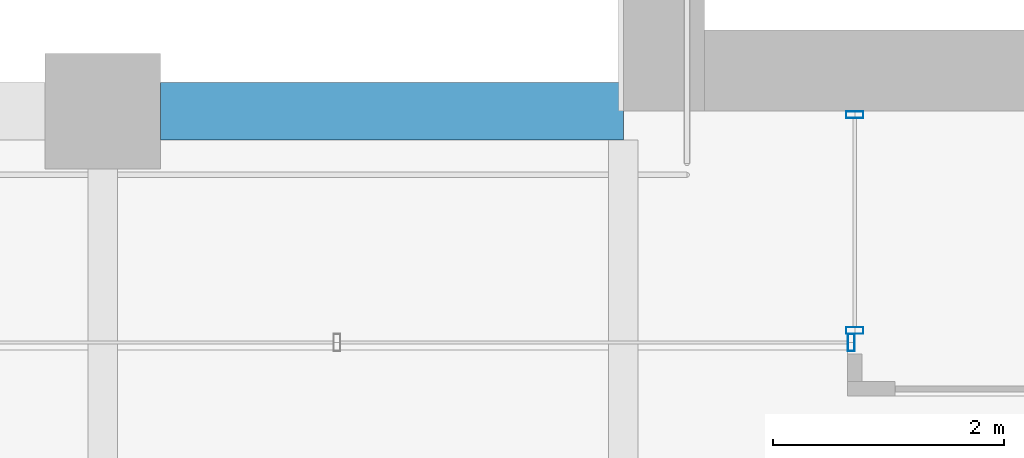
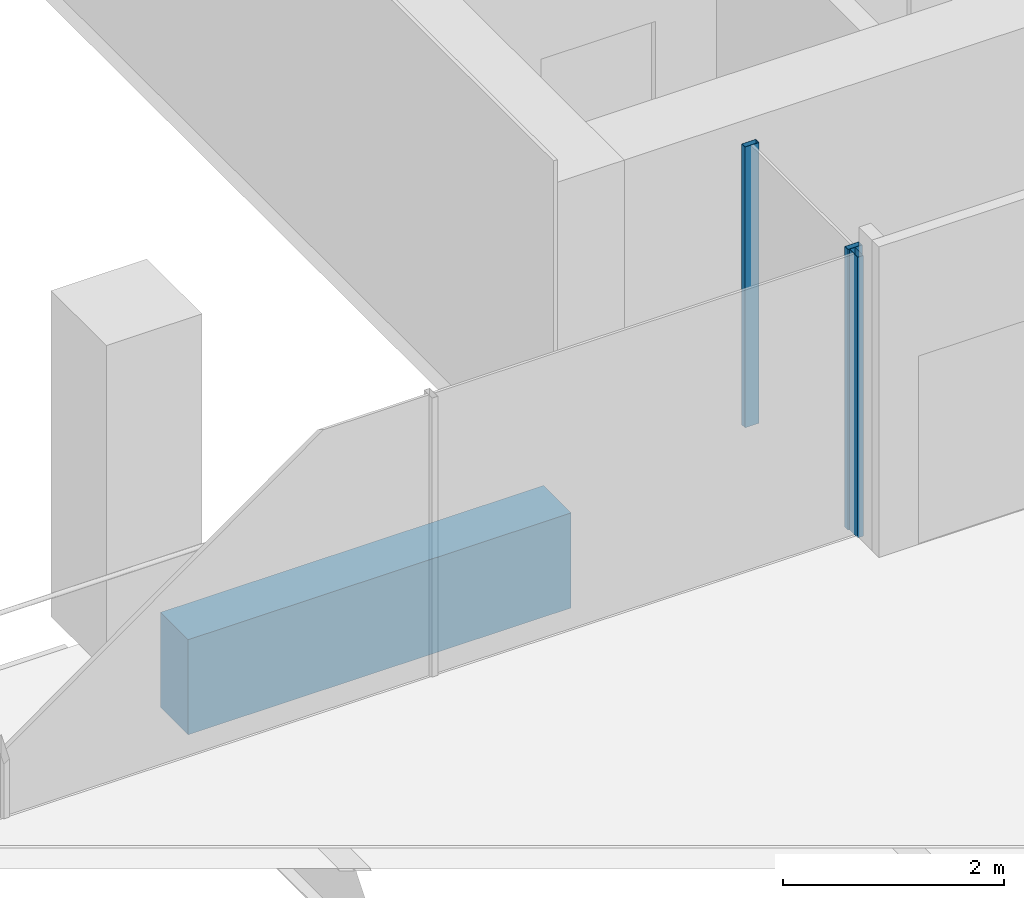
# One storey, part 6 of 46: 3 members, 1 beam, 2 elements without a shape of their own.
"""IFC4 building model written with IfcOpenShell, lengths in metres."""

import ifcopenshell
import ifcopenshell.guid

model = None  # the IFC model being written
_history = None  # IfcOwnerHistory: only IFC2X3 demands one
_inside = {}  # id of a spatial element -> (the spatial element, [elements in it])
_under = {}  # id of a project, library or spatial element -> (it, [spatial elements below it])
_declared = {}  # id of a project -> (the project, [libraries it declares])
_typed = {}  # id of a type object -> (the type object, [elements of that type])
_made_of = {}  # id of a material, layer set ... -> (it, [elements and type objects made of it])


def new_model(schema):
    """Start an empty IFC model of exactly this schema.

    Asked for "IFC4X3", IfcOpenShell would pick the latest addendum, in which some entities
    have other attributes; the version numbers below select the first issue.
    IFC2X3 requires an IfcOwnerHistory on every rooted entity: one is made here for all.
    """
    global model, _history
    if schema == "IFC4X3":
        model = ifcopenshell.file(schema_version=(4, 3, 0, 0))
    else:
        model = ifcopenshell.file(schema=schema)
    _inside.clear()
    _under.clear()
    _declared.clear()
    _typed.clear()
    _made_of.clear()
    _history = None
    if model.schema == "IFC2X3":
        org = make("IfcOrganization", Name="unknown")
        user = make(
            "IfcPersonAndOrganization",
            ThePerson=make("IfcPerson", FamilyName="unknown"),
            TheOrganization=org,
        )
        app = make(
            "IfcApplication",
            ApplicationDeveloper=org,
            Version="unknown",
            ApplicationFullName="unknown",
            ApplicationIdentifier="unknown",
        )
        _history = make(
            "IfcOwnerHistory",
            OwningUser=user,
            OwningApplication=app,
            ChangeAction="ADDED",
            CreationDate=0,
        )
    return model


def make(cls, **values):
    """One entity of the class cls with the attributes given. An attribute that is None is left unset."""
    return model.create_entity(
        cls, **{name: value for name, value in values.items() if value is not None}
    )


def rooted(cls, **values):
    """An entity with a GlobalId (a new one), such as an element, a storey or a relation."""
    return make(cls, GlobalId=ifcopenshell.guid.new(), OwnerHistory=_history, **values)


def si_unit(unit_type, name, prefix=None):
    """IfcSIUnit, for example si_unit("LENGTHUNIT", "METRE", prefix="MILLI")."""
    return make("IfcSIUnit", UnitType=unit_type, Prefix=prefix, Name=name)


def assignment(units):
    """IfcUnitAssignment: the units of a project."""
    return None if units is None else make("IfcUnitAssignment", Units=units)


def point(xyz):
    """IfcCartesianPoint."""
    return None if xyz is None else make("IfcCartesianPoint", Coordinates=xyz)


def direction(xyz):
    """IfcDirection."""
    return None if xyz is None else make("IfcDirection", DirectionRatios=xyz)


def frame(location, z_axis=None, x_axis=None):
    """IfcAxis2Placement3D, a coordinate frame: its origin and axes. An axis left out is left unset."""
    return make(
        "IfcAxis2Placement3D",
        Location=point(location),
        Axis=direction(z_axis),
        RefDirection=direction(x_axis),
    )


def frame_2d(location, x_axis=None):
    """IfcAxis2Placement2D, a coordinate frame in the plane: its origin and x axis."""
    return make(
        "IfcAxis2Placement2D", Location=point(location), RefDirection=direction(x_axis)
    )


def origin():
    """The frame at (0, 0, 0) with its axes left unset."""
    return frame((0.0, 0.0, 0.0))


def origin_2d():
    """The frame at (0, 0) in the plane with its x axis left unset."""
    return frame_2d((0.0, 0.0))


def place(relative_to, where):
    """IfcLocalPlacement: puts the frame where relative to a parent placement (None: the world)."""
    return make(
        "IfcLocalPlacement", PlacementRelTo=relative_to, RelativePlacement=where
    )


def context(
    kind, dimensions, precision=None, world=None, true_north=None, identifier=None
):
    """IfcGeometricRepresentationContext, for example the 3D "Model" context."""
    return make(
        "IfcGeometricRepresentationContext",
        ContextIdentifier=identifier,
        ContextType=kind,
        CoordinateSpaceDimension=dimensions,
        Precision=precision,
        WorldCoordinateSystem=world,
        TrueNorth=true_north,
    )


def subcontext(parent, identifier, kind, view, scale=None):
    """IfcGeometricRepresentationSubContext, for example "Body" below "Model"."""
    return make(
        "IfcGeometricRepresentationSubContext",
        ContextIdentifier=identifier,
        ContextType=kind,
        ParentContext=parent,
        TargetScale=scale,
        TargetView=view,
    )


def project(units=None, contexts=None):
    """IfcProject with its units and contexts."""
    return rooted(
        "IfcProject",
        Name="project",
        RepresentationContexts=contexts,
        UnitsInContext=assignment(units),
    )


def spatial(cls, under=None, at=None, **own):
    """A site, building, storey or space (cls), placed at a placement, below another one or the project."""
    s = rooted(cls, ObjectPlacement=at, **own)
    if under is not None:
        _under.setdefault(under.id(), (under, []))[1].append(s)
    return s


def profile(cls, at=None, kind="AREA", **sizes):
    """A parametric profile (cls). Its sizes go by their IFC names, for example OverallWidth=200.0."""
    return make(cls, ProfileType=kind, Position=at, **sizes)


def rectangle(**sizes):
    """IfcRectangleProfileDef."""
    return profile("IfcRectangleProfileDef", **sizes)


def hollow_rectangle(**sizes):
    """IfcRectangleHollowProfileDef."""
    return profile("IfcRectangleHollowProfileDef", **sizes)


def extrude(swept, where, along, depth):
    """IfcExtrudedAreaSolid: the profile swept, set in the frame where, extruded along a direction by depth."""
    return make(
        "IfcExtrudedAreaSolid",
        SweptArea=swept,
        Position=where,
        ExtrudedDirection=direction(along),
        Depth=depth,
    )


def shape(context_of_items, identifier, shape_type, items):
    """IfcShapeRepresentation: the items that make up one representation, for example the "Body"."""
    return make(
        "IfcShapeRepresentation",
        ContextOfItems=context_of_items,
        RepresentationIdentifier=identifier,
        RepresentationType=shape_type,
        Items=items,
    )


def material(Name=None, Category=None):
    """IfcMaterial."""
    return make("IfcMaterial", Name=Name, Category=Category)


def material_profile(
    of_material, cross_section, Name=None, Category=None, Priority=None
):
    """IfcMaterialProfile: a cross section and its material."""
    return make(
        "IfcMaterialProfile",
        Name=Name,
        Material=of_material,
        Profile=cross_section,
        Priority=Priority,
        Category=Category,
    )


def profile_set(profiles, Name=None, composite=None):
    """IfcMaterialProfileSet."""
    return make(
        "IfcMaterialProfileSet",
        Name=Name,
        MaterialProfiles=profiles,
        CompositeProfile=composite,
    )


def made_of(thing, what):
    """Note that an element or type object is made of a material, layer set ...; save() writes the relation."""
    if what is not None:
        _made_of.setdefault(what.id(), (what, []))[1].append(thing)
    return thing


def type_object(cls, material=None, **own):
    """A type object (cls), such as IfcWallType, which elements share."""
    return made_of(rooted(cls, **own), material)


def element(
    cls,
    number,
    at=None,
    inside=None,
    cuts=None,
    type_object=None,
    material=None,
    context=None,
    identifier="Body",
    shape_type=None,
    held_by="IfcProductDefinitionShape",
    body=None,
    shapes=None,
    **own,
):
    """One element of the class cls, such as IfcWall. Its Tag is "e" and its number.

    at: its placement. inside: the storey or other place that contains it. cuts: it is an
    opening in that element (IfcRelVoidsElement). A single representation is given by context,
    identifier, shape_type and body (its items); several are given by shapes. held_by: the class
    of the entity that holds the representations. save() writes the other relations.
    """
    e = rooted(cls, Tag="e%d" % number, ObjectPlacement=at, **own)
    if body is not None:
        shapes = [shape(context, identifier, shape_type, body)]
    if shapes is not None:
        e.Representation = make(held_by, Representations=shapes)
    if inside is not None:
        _inside.setdefault(inside.id(), (inside, []))[1].append(e)
    if cuts is not None:
        rooted(
            "IfcRelVoidsElement", RelatingBuildingElement=cuts, RelatedOpeningElement=e
        )
    if type_object is not None:
        _typed.setdefault(type_object.id(), (type_object, []))[1].append(e)
    return made_of(e, material)


def aggregate(whole, parts):
    """IfcRelAggregates: a whole, such as a stair, and the parts it consists of."""
    return rooted("IfcRelAggregates", RelatingObject=whole, RelatedObjects=parts)


def save(model, path):
    """Write the relations noted so far, then the file.

    IfcRelAggregates (storeys below a building ...), IfcRelContainedInSpatialStructure (elements
    in a storey), IfcRelDefinesByType, IfcRelAssociatesMaterial and IfcRelDeclares: one each for
    every whole, place, type object, material and project.
    """
    for whole, parts in _under.values():
        aggregate(whole, parts)
    for where, things in _inside.values():
        rooted(
            "IfcRelContainedInSpatialStructure",
            RelatedElements=things,
            RelatingStructure=where,
        )
    for kind, things in _typed.values():
        rooted("IfcRelDefinesByType", RelatedObjects=things, RelatingType=kind)
    for what, things in _made_of.values():
        rooted("IfcRelAssociatesMaterial", RelatedObjects=things, RelatingMaterial=what)
    for by, libraries in _declared.values():
        rooted("IfcRelDeclares", RelatingContext=by, RelatedDefinitions=libraries)
    model.write(path)


model = new_model("IFC4")

# Units and contexts
model_context = context("Model", 3, precision=1e-05, world=origin(), true_north=direction((0.0, 1.0)))
body_context = subcontext(model_context, "Body", "Model", "MODEL_VIEW")
ifc_project = project(units=[si_unit("LENGTHUNIT", "METRE"), si_unit("AREAUNIT", "SQUARE_METRE"), si_unit("VOLUMEUNIT", "CUBIC_METRE"), si_unit("PLANEANGLEUNIT", "RADIAN"), si_unit("MASSUNIT", "GRAM", prefix="KILO")], contexts=[model_context])

# Site, building, storey
site_placement = place(None, origin())
site = spatial("IfcSite", under=ifc_project, at=site_placement, CompositionType="ELEMENT")
building_placement = place(site_placement, origin())
building = spatial("IfcBuilding", under=site, at=building_placement, Name="Altepetl Exchange Towers", CompositionType="ELEMENT")
storey_placement = place(building_placement, frame((0.0, 0.0, 128.0)))
storey = spatial("IfcBuildingStorey", under=building, at=storey_placement, Name="L31", CompositionType="ELEMENT", Elevation=128.0)

# Curtain wall, members
ifc_material_1 = material(Name="Aluminium 6063-T6 glazing", Category="aluminium")
curtain_wall_type = type_object("IfcCurtainWallType", Name="Loggia glazing system", PredefinedType="NOTDEFINED", material=ifc_material_1)
curtain_wall_1_placement = place(storey_placement, origin())
curtain_wall_1 = element("IfcCurtainWall", 1, at=curtain_wall_1_placement, inside=storey, type_object=curtain_wall_type, Name="CW1 run", PredefinedType="NOTDEFINED")
ifc_material_2 = material(Name="Aluminium 6063-T6", Category="aluminium")
ifc_material_profile_1 = material_profile(ifc_material_2, hollow_rectangle(XDim=0.06005859375, YDim=0.14990234375, WallThickness=0.0029296875, at=origin_2d()), Name="Mullion 60x150 aluminium")
ifc_profile_set_1 = profile_set([ifc_material_profile_1], Name="Aluminium 6063-T6")
member_type = type_object("IfcMemberType", Name="Mullion 60x150 aluminium", PredefinedType="MULLION", material=ifc_profile_set_1)
member_1_placement = place(storey_placement, frame((42.5, 40.469970703125, 0.0), z_axis=(0.0, 0.0, 1.0), x_axis=(0.0, -1.0, 0.0)))
member_1 = element("IfcMember", 2, at=member_1_placement, type_object=member_type, Name="MU1 mullion", PredefinedType="MULLION", context=body_context, shape_type="SweptSolid", body=[
    extrude(hollow_rectangle(XDim=0.06005859375, YDim=0.14990234375, WallThickness=0.0029296875, at=origin_2d()), origin(), (0.0, 0.0, 1.0), 3.10009765625),
])
member_2_placement = place(storey_placement, frame((42.5, 38.60498046875, 0.0), z_axis=(0.0, 0.0, 1.0), x_axis=(0.0, -1.0, 0.0)))
member_2 = element("IfcMember", 3, at=member_2_placement, type_object=member_type, Name="MU1 mullion", PredefinedType="MULLION", context=body_context, shape_type="SweptSolid", body=[
    extrude(hollow_rectangle(XDim=0.06005859375, YDim=0.14990234375, WallThickness=0.0029296875, at=origin_2d()), origin(), (0.0, 0.0, 1.0), 3.10009765625),
])
aggregate(curtain_wall_1, [member_1, member_2])

# Curtain wall, member
curtain_wall_2_placement = place(storey_placement, origin())
curtain_wall_2 = element("IfcCurtainWall", 4, at=curtain_wall_2_placement, inside=storey, type_object=curtain_wall_type, Name="CW1 run", PredefinedType="NOTDEFINED")
member_3_placement = place(storey_placement, frame((42.469970703125, 38.5, 0.0), z_axis=(0.0, 0.0, 1.0), x_axis=(-1.0, 0.0, 0.0)))
member_3 = element("IfcMember", 5, at=member_3_placement, type_object=member_type, Name="MU1 mullion", PredefinedType="MULLION", context=body_context, shape_type="SweptSolid", body=[
    extrude(hollow_rectangle(XDim=0.06005859375, YDim=0.14990234375, WallThickness=0.0029296875, at=origin_2d()), origin(), (0.0, 0.0, 1.0), 3.10009765625),
])
aggregate(curtain_wall_2, [member_3])

# Beam
ifc_material_3 = material(Name="Concrete C50/60 precast with tezontle facing", Category="concrete")
ifc_material_profile_2 = material_profile(ifc_material_3, rectangle(XDim=0.5, YDim=1.050048828125, at=origin_2d()), Name="500 x 1050")
ifc_profile_set_2 = profile_set([ifc_material_profile_2], Name="Concrete C50/60 precast with tezontle facing")
beam_type = type_object("IfcBeamType", Name="Spandrel beam 500x1050 tezontle", PredefinedType="SPANDREL", material=ifc_profile_set_2)
beam_placement = place(storey_placement, frame((40.5, 40.5, -0.675048828125), z_axis=(-1.0, 0.0, 0.0), x_axis=(0.0, -1.0, 0.0)))
element("IfcBeam", 6, at=beam_placement, inside=storey, type_object=beam_type, Name="sp:A:L31:033", PredefinedType="SPANDREL", context=body_context, shape_type="SweptSolid", body=[
    extrude(rectangle(XDim=0.5, YDim=1.050048828125, at=origin_2d()), origin(), (0.0, 0.0, 1.0), 4.0),
])

save(model, "model.ifc")
